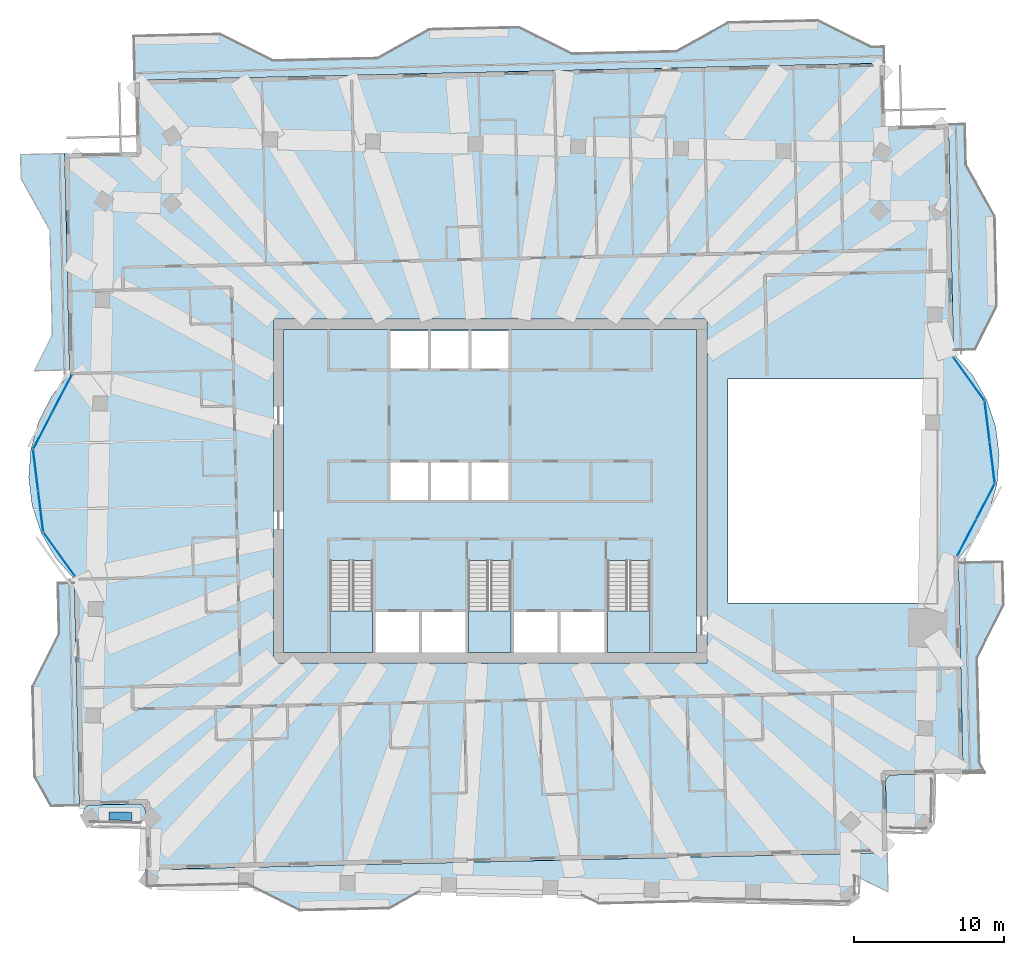
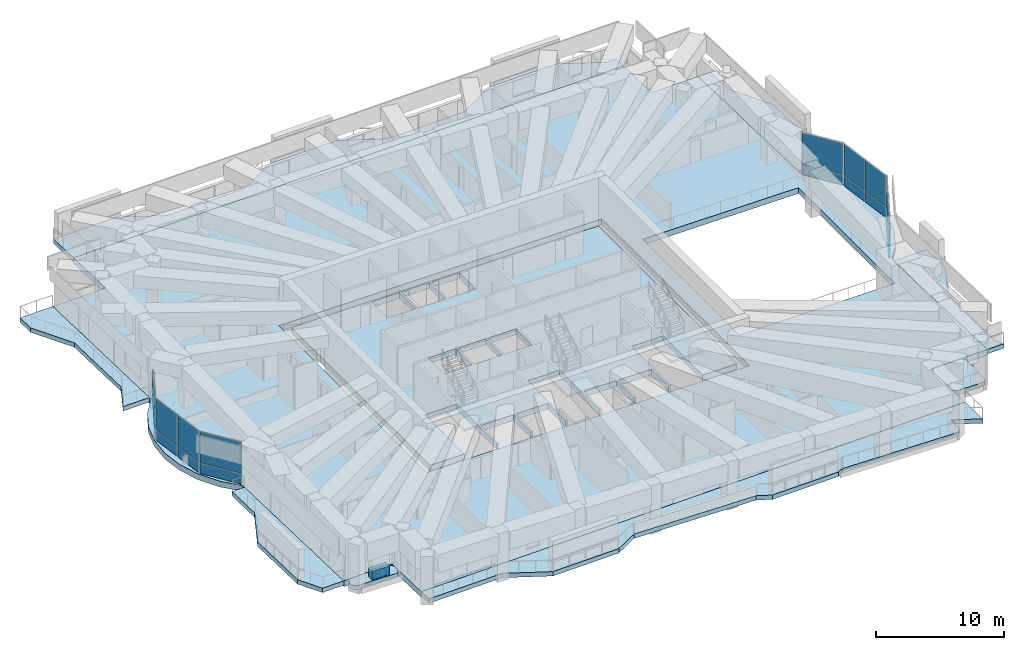
# One storey, part 10 of 21: 20 plates, 13 slabs, 1 wall, 9 elements without a shape of their own.
"""IFC4 building model written with IfcOpenShell, lengths in metres."""

from ifc_helpers import new_model, si_unit, direction, frame, frame_2d, origin, origin_2d, place, context, subcontext, project, spatial, polyline, rectangle, outline, extrude, material, layer, layer_set, type_object, element, aggregate, save


model = new_model("IFC4")

# Units and contexts
model_context = context("Model", 3, precision=1e-05, world=origin(), true_north=direction((0.0, 1.0)))
body_context = subcontext(model_context, "Body", "Model", "MODEL_VIEW")
ifc_project = project(units=[si_unit("LENGTHUNIT", "METRE"), si_unit("AREAUNIT", "SQUARE_METRE"), si_unit("VOLUMEUNIT", "CUBIC_METRE"), si_unit("PLANEANGLEUNIT", "RADIAN"), si_unit("MASSUNIT", "GRAM", prefix="KILO")], contexts=[model_context])

# Site, building, storey
site_placement = place(None, origin())
site = spatial("IfcSite", under=ifc_project, at=site_placement, CompositionType="ELEMENT")
building_placement = place(site_placement, origin())
building = spatial("IfcBuilding", under=site, at=building_placement, Name="Mangrove Gate Tower", CompositionType="ELEMENT")
storey_placement = place(building_placement, frame((0.0, 0.0, 275.300048828125)))
storey = spatial("IfcBuildingStorey", under=building, at=storey_placement, Name="L70", CompositionType="ELEMENT", Elevation=275.300048828125)

# Slabs
ifc_material_1 = material(Name="Porcelain tile")
ifc_layer_1 = layer(ifc_material_1, 0.02001953125, Name="Tile finish")
ifc_material_2 = material(Name="Cement sand screed")
ifc_layer_2 = layer(ifc_material_2, 0.0400390625, Name="Screed laid to falls")
ifc_material_3 = material(Name="Bituminous waterproofing membrane")
ifc_layer_3 = layer(ifc_material_3, 0.00390625, Name="Waterproofing")
ifc_material_4 = material(Name="Concrete C40/50", Category="concrete")
ifc_layer_4 = layer(ifc_material_4, 0.340087890625, Name="Balcony structural slab")
ifc_material_5 = material(Name="Limestone", Category="masonry")
ifc_layer_5 = layer(ifc_material_5, 0.01611328125, Name="Soffit lining")
ifc_layer_set_1 = layer_set([ifc_layer_1, ifc_layer_2, ifc_layer_3, ifc_layer_4, ifc_layer_5], Name="Balcony slab 420 C40/50")
slab_type_1 = type_object("IfcSlabType", Name="Balcony slab 420 C40/50", PredefinedType="FLOOR", material=ifc_layer_set_1)
slab_1_placement = place(storey_placement, frame((0.0, 0.0, -0.420166015625)))
element("IfcSlab", 1, at=slab_1_placement, inside=storey, type_object=slab_type_1, Name="BALCONY L70 E0", PredefinedType="FLOOR", context=body_context, shape_type="SweptSolid", body=[
    extrude(outline(polyline([(33.15087890625, -18.839111328125), (32.764892578125, -18.14794921875), (32.60595703125, -11.14990234375), (34.3759765625, -7.60888671875), (34.31103515625, -4.735107421875), (31.322021484375, -4.802978515625), (31.386962890625, -7.677001953125), (31.467041015625, -11.176025390625), (31.625, -18.174072265625), (31.64111328125, -18.8740234375), (33.15087890625, -18.839111328125)])), origin(), (0.0, 0.0, 1.0), 0.420166015625),
])
slab_2_placement = place(storey_placement, frame((0.0, 0.0, -0.420166015625)))
element("IfcSlab", 2, at=slab_2_placement, inside=storey, type_object=slab_type_1, Name="BALCONY L70 E1", PredefinedType="FLOOR", context=body_context, shape_type="SweptSolid", body=[
    extrude(outline(polyline([(32.468994140625, 9.47802734375), (33.923095703125, 12.385986328125), (33.787109375, 18.385009765625), (31.85791015625, 21.842041015625), (31.7958984375, 24.541015625), (30.656982421875, 24.514892578125), (30.718017578125, 21.81591796875), (30.797119140625, 18.31689453125), (30.93408203125, 12.318115234375), (30.9990234375, 9.444091796875), (32.468994140625, 9.47802734375)])), origin(), (0.0, 0.0, 1.0), 0.420166015625),
])
slab_3_placement = place(storey_placement, frame((0.0, 0.0, -0.420166015625)))
element("IfcSlab", 3, at=slab_3_placement, inside=storey, type_object=slab_type_1, Name="BALCONY L70 N0", PredefinedType="FLOOR", context=body_context, shape_type="SweptSolid", body=[
    extrude(outline(polyline([(26.3369140625, 29.758056640625), (25.468994140625, 29.739013671875), (21.927978515625, 31.509033203125), (15.928955078125, 31.373046875), (12.471923828125, 29.444091796875), (5.47412109375, 29.284912109375), (1.93310546875, 31.054931640625), (-4.06494140625, 30.9189453125), (-7.52294921875, 28.989990234375), (-14.52099609375, 28.83203125), (-18.06201171875, 30.60107421875), (-23.827880859375, 30.470947265625), (-23.760986328125, 27.48095703125), (26.363037109375, 28.618896484375), (26.3369140625, 29.758056640625)])), origin(), (0.0, 0.0, 1.0), 0.420166015625),
])
slab_4_placement = place(storey_placement, frame((0.0, 0.0, -0.420166015625)))
element("IfcSlab", 4, at=slab_4_placement, inside=storey, type_object=slab_type_1, Name="BALCONY L70 W0", PredefinedType="FLOOR", context=body_context, shape_type="SweptSolid", body=[
    extrude(outline(polyline([(-31.43994140625, 22.506103515625), (-31.403076171875, 20.906005859375), (-29.47412109375, 17.448974609375), (-29.31591796875, 10.450927734375), (-30.51708984375, 8.048095703125), (-28.1220703125, 8.10302734375), (-28.176025390625, 10.47705078125), (-28.3349609375, 17.47509765625), (-28.4140625, 20.97412109375), (-28.449951171875, 22.573974609375), (-31.43994140625, 22.506103515625)])), origin(), (0.0, 0.0, 1.0), 0.420166015625),
])
slab_5_placement = place(storey_placement, frame((0.0, 0.0, -0.420166015625)))
element("IfcSlab", 5, at=slab_5_placement, inside=storey, type_object=slab_type_1, Name="BALCONY L70 W1", PredefinedType="FLOOR", context=body_context, shape_type="SweptSolid", body=[
    extrude(outline(polyline([(-28.93798828125, -6.169921875), (-28.862060546875, -9.5439453125), (-30.632080078125, -13.0849609375), (-30.49609375, -19.083984375), (-29.39404296875, -21.05908203125), (-27.4609375, -21.014892578125), (-27.507080078125, -19.01611328125), (-27.64306640625, -13.01708984375), (-27.721923828125, -9.51806640625), (-27.799072265625, -6.14404296875), (-28.93798828125, -6.169921875)])), origin(), (0.0, 0.0, 1.0), 0.420166015625),
])
slab_6_placement = place(storey_placement, frame((0.0, 0.0, -0.420166015625)))
element("IfcSlab", 6, at=slab_6_placement, inside=storey, type_object=slab_type_1, Name="BALCONY L70 S0", PredefinedType="FLOOR", context=body_context, shape_type="SweptSolid", body=[
    extrude(outline(polyline([(-22.93701171875, -26.4541015625), (-16.27197265625, -26.302978515625), (-12.72900390625, -28.072998046875), (-6.73095703125, -27.93701171875), (-4.693115234375, -26.800048828125), (-4.68798828125, -26.798095703125), (-4.681884765625, -26.799072265625), (-4.677978515625, -26.803955078125), (-4.676025390625, -26.80908203125), (-4.677001953125, -26.81396484375), (6.09912109375, -27.05908203125), (6.097900390625, -27.052978515625), (6.10009765625, -27.048095703125), (6.10498046875, -27.0439453125), (6.110107421875, -27.04296875), (7.264892578125, -27.618896484375), (13.263916015625, -27.48291015625), (13.737060546875, -27.218994140625), (13.743896484375, -27.217041015625), (13.748046875, -27.218017578125), (13.7529296875, -27.220947265625), (13.7548828125, -27.22509765625), (13.7548828125, -27.23193359375), (23.85595703125, -27.4619140625), (23.905029296875, -27.4599609375), (23.9541015625, -27.4541015625), (24.0009765625, -27.443115234375), (24.049072265625, -27.427978515625), (24.093017578125, -27.407958984375), (24.135986328125, -27.384033203125), (24.176025390625, -27.35498046875), (24.212890625, -27.322998046875), (24.24609375, -27.2880859375), (24.277099609375, -27.2490234375), (24.302978515625, -27.2080078125), (24.324951171875, -27.1640625), (24.343017578125, -27.116943359375), (24.35595703125, -27.070068359375), (24.364013671875, -27.02197265625), (24.366943359375, -26.972900390625), (24.39404296875, -25.7529296875), (24.39697265625, -25.743896484375), (24.406005859375, -25.739990234375), (24.410888671875, -25.741943359375), (26.62109375, -26.845947265625), (26.56103515625, -24.18994140625), (-22.962890625, -25.31396484375), (-22.93701171875, -26.4541015625)])), origin(), (0.0, 0.0, 1.0), 0.420166015625),
])
ifc_material_6 = material(Name="Concrete C40/50", Category="concrete")
ifc_layer_6 = layer(ifc_material_6, 0.550048828125)
ifc_layer_set_2 = layer_set([ifc_layer_6], Name="Core floor slab 550 C40/50")
slab_type_2 = type_object("IfcSlabType", Name="Core floor slab 550 C40/50", PredefinedType="FLOOR", material=ifc_layer_set_2)
slab_7_placement = place(storey_placement, frame((0.0, 0.0, -0.550048828125)))
element("IfcSlab", 7, at=slab_7_placement, inside=storey, type_object=slab_type_2, Name="SLAB-L70-CORE-1", PredefinedType="FLOOR", context=body_context, shape_type="SweptSolid", body=[
    extrude(outline(polyline([(-13.800048828125, -10.800048828125), (-13.800048828125, 10.800048828125), (13.800048828125, 10.800048828125), (13.800048828125, -10.800048828125), (10.699951171875, -10.800048828125), (10.699951171875, -4.653076171875), (7.85009765625, -4.653076171875), (7.85009765625, -10.800048828125), (7.64990234375, -10.800048828125), (7.64990234375, -8.10009765625), (4.72509765625, -8.10009765625), (4.72509765625, -10.800048828125), (4.52490234375, -10.800048828125), (4.52490234375, -8.10009765625), (1.60009765625, -8.10009765625), (1.60009765625, -10.800048828125), (1.39990234375, -10.800048828125), (1.39990234375, -4.653076171875), (-1.449951171875, -4.653076171875), (-1.449951171875, -10.800048828125), (-1.64990234375, -10.800048828125), (-1.64990234375, -8.10009765625), (-4.550048828125, -8.10009765625), (-4.550048828125, -10.800048828125), (-4.75, -10.800048828125), (-4.75, -8.10009765625), (-7.64990234375, -8.10009765625), (-7.64990234375, -10.800048828125), (-7.85009765625, -10.800048828125), (-7.85009765625, -4.653076171875), (-10.699951171875, -4.653076171875), (-10.699951171875, -10.800048828125), (-13.800048828125, -10.800048828125)]), holes=[polyline([(-4.14990234375, 1.89990234375), (-6.64990234375, 1.89990234375), (-6.64990234375, -0.60009765625), (-4.14990234375, -0.60009765625), (-4.14990234375, 1.89990234375)]), polyline([(-1.449951171875, -0.60009765625), (-1.449951171875, 1.89990234375), (-3.949951171875, 1.89990234375), (-3.949951171875, -0.60009765625), (-1.449951171875, -0.60009765625)]), polyline([(-4.14990234375, 8.199951171875), (-4.14990234375, 10.699951171875), (-6.64990234375, 10.699951171875), (-6.64990234375, 8.199951171875), (-4.14990234375, 8.199951171875)]), polyline([(-1.449951171875, 10.699951171875), (-3.949951171875, 10.699951171875), (-3.949951171875, 8.199951171875), (-1.449951171875, 8.199951171875), (-1.449951171875, 10.699951171875)]), polyline([(1.25, -0.60009765625), (1.25, 1.89990234375), (-1.25, 1.89990234375), (-1.25, -0.60009765625), (1.25, -0.60009765625)]), polyline([(1.25, 8.199951171875), (1.25, 10.699951171875), (-1.25, 10.699951171875), (-1.25, 8.199951171875), (1.25, 8.199951171875)])]), origin(), (0.0, 0.0, 1.0), 0.550048828125),
])

# Stair, slab
ifc_material_7 = material(Name="Concrete C40/50", Category="concrete")
stair_type = type_object("IfcStairType", Name="Core stair 1350", PredefinedType="HALF_TURN_STAIR", material=ifc_material_7)
stair_1_placement = place(storey_placement, origin())
stair_1 = element("IfcStair", 8, at=stair_1_placement, inside=storey, type_object=stair_type, Name="L70 Stair 1", PredefinedType="HALF_TURN_STAIR")
ifc_material_8 = material(Name="Concrete C40/50", Category="concrete")
ifc_layer_7 = layer(ifc_material_8, 0.199951171875)
ifc_layer_set_3 = layer_set([ifc_layer_7], Name="Core stair landing 200")
slab_type_3 = type_object("IfcSlabType", Name="Core stair landing 200", PredefinedType="LANDING", material=ifc_layer_set_3)
slab_8_placement = place(storey_placement, frame((0.0, 0.0, 2.099853515625)))
slab_8 = element("IfcSlab", 9, at=slab_8_placement, type_object=slab_type_3, Name="ST1 landing 1", PredefinedType="LANDING", context=body_context, shape_type="SweptSolid", body=[
    extrude(outline(polyline([(-10.699951171875, -8.010009765625), (-10.699951171875, -10.800048828125), (-7.85009765625, -10.800048828125), (-7.85009765625, -8.010009765625), (-10.699951171875, -8.010009765625)])), origin(), (0.0, 0.0, 1.0), 0.2001953125),
])
aggregate(stair_1, [slab_8])

stair_2_placement = place(storey_placement, origin())
stair_2 = element("IfcStair", 10, at=stair_2_placement, inside=storey, type_object=stair_type, Name="L70 Stair 2", PredefinedType="HALF_TURN_STAIR")
slab_9_placement = place(storey_placement, frame((0.0, 0.0, 2.099853515625)))
slab_9 = element("IfcSlab", 11, at=slab_9_placement, type_object=slab_type_3, Name="ST2 landing 1", PredefinedType="LANDING", context=body_context, shape_type="SweptSolid", body=[
    extrude(outline(polyline([(-1.449951171875, -8.010009765625), (-1.449951171875, -10.800048828125), (1.39990234375, -10.800048828125), (1.39990234375, -8.010009765625), (-1.449951171875, -8.010009765625)])), origin(), (0.0, 0.0, 1.0), 0.2001953125),
])
aggregate(stair_2, [slab_9])

stair_3_placement = place(storey_placement, origin())
stair_3 = element("IfcStair", 12, at=stair_3_placement, inside=storey, type_object=stair_type, Name="L70 Stair 3", PredefinedType="HALF_TURN_STAIR")
slab_10_placement = place(storey_placement, frame((0.0, 0.0, 2.099853515625)))
slab_10 = element("IfcSlab", 13, at=slab_10_placement, type_object=slab_type_3, Name="ST3 landing 1", PredefinedType="LANDING", context=body_context, shape_type="SweptSolid", body=[
    extrude(outline(polyline([(7.85009765625, -8.010009765625), (7.85009765625, -10.800048828125), (10.699951171875, -10.800048828125), (10.699951171875, -8.010009765625), (7.85009765625, -8.010009765625)])), origin(), (0.0, 0.0, 1.0), 0.2001953125),
])
aggregate(stair_3, [slab_10])

# Slab
ifc_material_9 = material(Name="Concrete C40/50", Category="concrete")
ifc_layer_8 = layer(ifc_material_9, 0.550048828125)
ifc_layer_set_4 = layer_set([ifc_layer_8], Name="Floor slab 550 C40/50")
slab_type_4 = type_object("IfcSlabType", Name="Floor slab 550 C40/50", PredefinedType="FLOOR", material=ifc_layer_set_4)
slab_11_placement = place(storey_placement, frame((0.0, 0.0, -0.550048828125)))
element("IfcSlab", 14, at=slab_11_placement, inside=storey, type_object=slab_type_4, Name="Floor slab L70", PredefinedType="FLOOR", context=body_context, shape_type="SweptSolid", body=[
    extrude(outline(polyline([(-22.962646484375, -25.314208984375), (26.560791015625, -24.1904296875), (26.442626953125, -18.99169921875), (31.641357421875, -18.873779296875), (31.31640625, -4.552734375), (32.512939453125, -3.060302734375), (33.389892578125, -1.360595703125), (33.912353515625, 0.4794921875), (34.0595703125, 2.38671875), (33.825927734375, 4.28515625), (33.220458984375, 6.099365234375), (32.267333984375, 7.7578125), (31.00439453125, 9.1943359375), (30.65673828125, 24.51513671875), (26.457763671875, 24.419921875), (26.362548828125, 28.61865234375), (-23.760498046875, 27.481201171875), (-23.651611328125, 22.6826171875), (-28.450439453125, 22.57373046875), (-28.116455078125, 7.852783203125), (-29.31298828125, 6.3603515625), (-30.18994140625, 4.660400390625), (-30.71240234375, 2.820556640625), (-30.859619140625, 0.913330078125), (-30.6259765625, -0.985107421875), (-30.0205078125, -2.799560546875), (-29.0673828125, -4.457763671875), (-27.804443359375, -5.894287109375), (-27.461181640625, -21.01513671875), (-23.0625, -20.915283203125), (-22.962646484375, -25.314208984375)]), holes=[polyline([(15.89990234375, 7.5), (29.889892578125, 7.5), (29.889892578125, -7.5), (15.89990234375, -7.5), (15.89990234375, 7.5)]), polyline([(-14.5, -11.5), (-14.5, 11.5), (14.5, 11.5), (14.5, -11.5), (-14.5, -11.5)])]), origin(), (0.0, 0.0, 1.0), 0.550048828125),
])

# Curtain wall, plates
ifc_material_10 = material(Name="Aluminium and glass curtain wall", Category="aluminium")
curtain_wall_type = type_object("IfcCurtainWallType", Name="Sky-lounge glazing wall", PredefinedType="NOTDEFINED", material=ifc_material_10)
curtain_wall_1_placement = place(storey_placement, origin())
curtain_wall_1 = element("IfcCurtainWall", 15, at=curtain_wall_1_placement, inside=storey, type_object=curtain_wall_type, Name="Sky-lounge glazing E1f1", PredefinedType="NOTDEFINED")
ifc_material_11 = material(Name="Laminated low-e glass", Category="glass")
ifc_layer_9 = layer(ifc_material_11, 0.030029296875)
ifc_layer_set_5 = layer_set([ifc_layer_9], Name="Sky-lounge glazing panel 30")
plate_type = type_object("IfcPlateType", Name="Sky-lounge glazing panel 30", PredefinedType="CURTAIN_PANEL", material=ifc_layer_set_5)
plate_1_placement = place(storey_placement, frame((31.883056640625, -3.117431640625, 0.0), z_axis=(0.0, 0.0, 1.0), x_axis=(0.460707139795, 0.887552213305, 0.0)))
plate_1 = element("IfcPlate", 16, at=plate_1_placement, type_object=plate_type, Name="CWK panel 1.1", PredefinedType="CURTAIN_PANEL", context=body_context, shape_type="SweptSolid", body=[
    extrude(rectangle(XDim=2.6416015625, YDim=0.030029296875, at=origin_2d()), origin(), (0.0, 0.0, 1.0), 0.969970703125),
])
plate_2_placement = place(storey_placement, frame((31.883056640625, -3.117431640625, 1.030029296875), z_axis=(0.0, 0.0, 1.0), x_axis=(0.460707139795, 0.887552213305, 0.0)))
plate_2 = element("IfcPlate", 17, at=plate_2_placement, type_object=plate_type, Name="CWK panel 1.2", PredefinedType="CURTAIN_PANEL", context=body_context, shape_type="SweptSolid", body=[
    extrude(rectangle(XDim=2.6416015625, YDim=0.030029296875, at=origin_2d()), origin(), (0.0, 0.0, 1.0), 2.9599609375),
])
plate_3_placement = place(storey_placement, frame((33.1279296875, -0.719482421875, 0.0), z_axis=(0.0, 0.0, 1.0), x_axis=(0.460707139795, 0.887552213305, 0.0)))
plate_3 = element("IfcPlate", 18, at=plate_3_placement, type_object=plate_type, Name="CWK panel 2.1", PredefinedType="CURTAIN_PANEL", context=body_context, shape_type="SweptSolid", body=[
    extrude(rectangle(XDim=2.6416015625, YDim=0.030029296875, at=origin_2d()), origin(), (0.0, 0.0, 1.0), 0.969970703125),
])
plate_4_placement = place(storey_placement, frame((33.1279296875, -0.719482421875, 1.030029296875), z_axis=(0.0, 0.0, 1.0), x_axis=(0.460707139795, 0.887552213305, 0.0)))
plate_4 = element("IfcPlate", 19, at=plate_4_placement, type_object=plate_type, Name="CWK panel 2.2", PredefinedType="CURTAIN_PANEL", context=body_context, shape_type="SweptSolid", body=[
    extrude(rectangle(XDim=2.6416015625, YDim=0.030029296875, at=origin_2d()), origin(), (0.0, 0.0, 1.0), 2.9599609375),
])
aggregate(curtain_wall_1, [plate_1, plate_2, plate_3, plate_4])

curtain_wall_2_placement = place(storey_placement, origin())
curtain_wall_2 = element("IfcCurtainWall", 20, at=curtain_wall_2_placement, inside=storey, type_object=curtain_wall_type, Name="Sky-lounge glazing E1f2", PredefinedType="NOTDEFINED")
plate_5_placement = place(storey_placement, frame((33.591796875, 1.90380859375, 0.0), z_axis=(0.0, 0.0, 1.0), x_axis=(-0.122172285885, 0.992508908051, 0.0)))
plate_5 = element("IfcPlate", 21, at=plate_5_placement, type_object=plate_type, Name="CWK panel 1.1", PredefinedType="CURTAIN_PANEL", context=body_context, shape_type="SweptSolid", body=[
    extrude(rectangle(XDim=2.69677734375, YDim=0.030029296875, at=origin_2d()), origin(), (0.0, 0.0, 1.0), 0.969970703125),
])
plate_6_placement = place(storey_placement, frame((33.591796875, 1.90380859375, 1.030029296875), z_axis=(0.0, 0.0, 1.0), x_axis=(-0.122172285885, 0.992508908051, 0.0)))
plate_6 = element("IfcPlate", 22, at=plate_6_placement, type_object=plate_type, Name="CWK panel 1.2", PredefinedType="CURTAIN_PANEL", context=body_context, shape_type="SweptSolid", body=[
    extrude(rectangle(XDim=2.69677734375, YDim=0.030029296875, at=origin_2d()), origin(), (0.0, 0.0, 1.0), 2.9599609375),
])
plate_7_placement = place(storey_placement, frame((33.255126953125, 4.639892578125, 0.0), z_axis=(0.0, 0.0, 1.0), x_axis=(-0.122172285885, 0.992508908051, 0.0)))
plate_7 = element("IfcPlate", 23, at=plate_7_placement, type_object=plate_type, Name="CWK panel 2.1", PredefinedType="CURTAIN_PANEL", context=body_context, shape_type="SweptSolid", body=[
    extrude(rectangle(XDim=2.69677734375, YDim=0.030029296875, at=origin_2d()), origin(), (0.0, 0.0, 1.0), 0.969970703125),
])
plate_8_placement = place(storey_placement, frame((33.255126953125, 4.639892578125, 1.030029296875), z_axis=(0.0, 0.0, 1.0), x_axis=(-0.122172285885, 0.992508908051, 0.0)))
plate_8 = element("IfcPlate", 24, at=plate_8_placement, type_object=plate_type, Name="CWK panel 2.2", PredefinedType="CURTAIN_PANEL", context=body_context, shape_type="SweptSolid", body=[
    extrude(rectangle(XDim=2.69677734375, YDim=0.030029296875, at=origin_2d()), origin(), (0.0, 0.0, 1.0), 2.9599609375),
])
aggregate(curtain_wall_2, [plate_5, plate_6, plate_7, plate_8])

curtain_wall_3_placement = place(storey_placement, origin())
curtain_wall_3 = element("IfcCurtainWall", 25, at=curtain_wall_3_placement, inside=storey, type_object=curtain_wall_type, Name="Sky-lounge glazing E1f3", PredefinedType="NOTDEFINED")
plate_9_placement = place(storey_placement, frame((32.031494140625, 7.50048828125, 0.0), z_axis=(0.0, 0.0, 1.0), x_axis=(-0.583756154765, 0.811929031242, 0.0)))
plate_9 = element("IfcPlate", 26, at=plate_9_placement, type_object=plate_type, Name="CWK panel 1.1", PredefinedType="CURTAIN_PANEL", context=body_context, shape_type="SweptSolid", body=[
    extrude(rectangle(XDim=3.482421875, YDim=0.030029296875, at=origin_2d()), origin(), (0.0, 0.0, 1.0), 0.969970703125),
])
plate_10_placement = place(storey_placement, frame((32.031494140625, 7.50048828125, 1.030029296875), z_axis=(0.0, 0.0, 1.0), x_axis=(-0.583756154765, 0.811929031242, 0.0)))
plate_10 = element("IfcPlate", 27, at=plate_10_placement, type_object=plate_type, Name="CWK panel 1.2", PredefinedType="CURTAIN_PANEL", context=body_context, shape_type="SweptSolid", body=[
    extrude(rectangle(XDim=3.482421875, YDim=0.030029296875, at=origin_2d()), origin(), (0.0, 0.0, 1.0), 2.9599609375),
])
aggregate(curtain_wall_3, [plate_9, plate_10])

curtain_wall_4_placement = place(storey_placement, origin())
curtain_wall_4 = element("IfcCurtainWall", 28, at=curtain_wall_4_placement, inside=storey, type_object=curtain_wall_type, Name="Sky-lounge glazing W9f1", PredefinedType="NOTDEFINED")
plate_11_placement = place(storey_placement, frame((-28.621826171875, 6.536376953125, 0.0), z_axis=(0.0, 0.0, 1.0), x_axis=(-0.460628472466, -0.887593043209, 0.0)))
plate_11 = element("IfcPlate", 29, at=plate_11_placement, type_object=plate_type, Name="CWK panel 1.1", PredefinedType="CURTAIN_PANEL", context=body_context, shape_type="SweptSolid", body=[
    extrude(rectangle(XDim=2.73095703125, YDim=0.030029296875, at=origin_2d()), origin(), (0.0, 0.0, 1.0), 0.969970703125),
])
plate_12_placement = place(storey_placement, frame((-28.621826171875, 6.536376953125, 1.02978515625), z_axis=(0.0, 0.0, 1.0), x_axis=(-0.460628472466, -0.887593043209, 0.0)))
plate_12 = element("IfcPlate", 30, at=plate_12_placement, type_object=plate_type, Name="CWK panel 1.2", PredefinedType="CURTAIN_PANEL", context=body_context, shape_type="SweptSolid", body=[
    extrude(rectangle(XDim=2.73095703125, YDim=0.030029296875, at=origin_2d()), origin(), (0.0, 0.0, 1.0), 1.760009765625),
])
plate_13_placement = place(storey_placement, frame((-29.9072265625, 4.05908203125, 0.0), z_axis=(0.0, 0.0, 1.0), x_axis=(-0.460628472466, -0.887593043209, 0.0)))
plate_13 = element("IfcPlate", 31, at=plate_13_placement, type_object=plate_type, Name="CWK panel 2.1", PredefinedType="CURTAIN_PANEL", context=body_context, shape_type="SweptSolid", body=[
    extrude(rectangle(XDim=2.73095703125, YDim=0.030029296875, at=origin_2d()), origin(), (0.0, 0.0, 1.0), 0.969970703125),
])
plate_14_placement = place(storey_placement, frame((-29.9072265625, 4.05908203125, 1.02978515625), z_axis=(0.0, 0.0, 1.0), x_axis=(-0.460628472466, -0.887593043209, 0.0)))
plate_14 = element("IfcPlate", 32, at=plate_14_placement, type_object=plate_type, Name="CWK panel 2.2", PredefinedType="CURTAIN_PANEL", context=body_context, shape_type="SweptSolid", body=[
    extrude(rectangle(XDim=2.73095703125, YDim=0.030029296875, at=origin_2d()), origin(), (0.0, 0.0, 1.0), 1.760009765625),
])
aggregate(curtain_wall_4, [plate_11, plate_12, plate_13, plate_14])

curtain_wall_5_placement = place(storey_placement, origin())
curtain_wall_5 = element("IfcCurtainWall", 33, at=curtain_wall_5_placement, inside=storey, type_object=curtain_wall_type, Name="Sky-lounge glazing W9f2", PredefinedType="NOTDEFINED")
plate_15_placement = place(storey_placement, frame((-30.391845703125, 1.396240234375, 0.0), z_axis=(0.0, 0.0, 1.0), x_axis=(0.122172285885, -0.992508908051, 0.0)))
plate_15 = element("IfcPlate", 34, at=plate_15_placement, type_object=plate_type, Name="CWK panel 1.1", PredefinedType="CURTAIN_PANEL", context=body_context, shape_type="SweptSolid", body=[
    extrude(rectangle(XDim=2.69677734375, YDim=0.030029296875, at=origin_2d()), origin(), (0.0, 0.0, 1.0), 0.969970703125),
])
plate_16_placement = place(storey_placement, frame((-30.391845703125, 1.396240234375, 1.030029296875), z_axis=(0.0, 0.0, 1.0), x_axis=(0.122172285885, -0.992508908051, 0.0)))
plate_16 = element("IfcPlate", 35, at=plate_16_placement, type_object=plate_type, Name="CWK panel 1.2", PredefinedType="CURTAIN_PANEL", context=body_context, shape_type="SweptSolid", body=[
    extrude(rectangle(XDim=2.69677734375, YDim=0.030029296875, at=origin_2d()), origin(), (0.0, 0.0, 1.0), 2.9599609375),
])
plate_17_placement = place(storey_placement, frame((-30.05517578125, -1.33984375, 0.0), z_axis=(0.0, 0.0, 1.0), x_axis=(0.122172285885, -0.992508908051, 0.0)))
plate_17 = element("IfcPlate", 36, at=plate_17_placement, type_object=plate_type, Name="CWK panel 2.1", PredefinedType="CURTAIN_PANEL", context=body_context, shape_type="SweptSolid", body=[
    extrude(rectangle(XDim=2.69677734375, YDim=0.030029296875, at=origin_2d()), origin(), (0.0, 0.0, 1.0), 0.969970703125),
])
plate_18_placement = place(storey_placement, frame((-30.05517578125, -1.33984375, 1.030029296875), z_axis=(0.0, 0.0, 1.0), x_axis=(0.122172285885, -0.992508908051, 0.0)))
plate_18 = element("IfcPlate", 37, at=plate_18_placement, type_object=plate_type, Name="CWK panel 2.2", PredefinedType="CURTAIN_PANEL", context=body_context, shape_type="SweptSolid", body=[
    extrude(rectangle(XDim=2.69677734375, YDim=0.030029296875, at=origin_2d()), origin(), (0.0, 0.0, 1.0), 2.9599609375),
])
aggregate(curtain_wall_5, [plate_15, plate_16, plate_17, plate_18])

curtain_wall_6_placement = place(storey_placement, origin())
curtain_wall_6 = element("IfcCurtainWall", 38, at=curtain_wall_6_placement, inside=storey, type_object=curtain_wall_type, Name="Sky-lounge glazing W9f3", PredefinedType="NOTDEFINED")
plate_19_placement = place(storey_placement, frame((-28.81640625, -4.221435546875, 0.0), z_axis=(0.0, 0.0, 1.0), x_axis=(0.583720628164, -0.811954572779, 0.0)))
plate_19 = element("IfcPlate", 39, at=plate_19_placement, type_object=plate_type, Name="CWK panel 1.1", PredefinedType="CURTAIN_PANEL", context=body_context, shape_type="SweptSolid", body=[
    extrude(rectangle(XDim=3.5341796875, YDim=0.030029296875, at=origin_2d()), origin(), (0.0, 0.0, 1.0), 0.969970703125),
])
plate_20_placement = place(storey_placement, frame((-28.81640625, -4.221435546875, 1.030029296875), z_axis=(0.0, 0.0, 1.0), x_axis=(0.583720628164, -0.811954572779, 0.0)))
plate_20 = element("IfcPlate", 40, at=plate_20_placement, type_object=plate_type, Name="CWK panel 1.2", PredefinedType="CURTAIN_PANEL", context=body_context, shape_type="SweptSolid", body=[
    extrude(rectangle(XDim=3.5341796875, YDim=0.030029296875, at=origin_2d()), origin(), (0.0, 0.0, 1.0), 2.9599609375),
])
aggregate(curtain_wall_6, [plate_19, plate_20])

# Slabs
ifc_material_12 = material(Name="Granite", Category="masonry")
ifc_layer_10 = layer(ifc_material_12, 0.030029296875, Name="Granite paving")
ifc_layer_11 = layer(ifc_material_2, 0.0400390625, Name="Bedding screed")
ifc_layer_12 = layer(ifc_material_3, 0.0048828125, Name="Waterproofing")
ifc_material_13 = material(Name="Extruded polystyrene insulation")
ifc_layer_13 = layer(ifc_material_13, 0.0400390625, Name="Insulation")
ifc_layer_14 = layer(ifc_material_4, 0.304931640625, Name="Terrace structural slab")
ifc_layer_set_6 = layer_set([ifc_layer_10, ifc_layer_11, ifc_layer_12, ifc_layer_13, ifc_layer_14], Name="Terrace slab C40/50")
slab_type_5 = type_object("IfcSlabType", Name="Terrace slab C40/50", PredefinedType="FLOOR", material=ifc_layer_set_6)
slab_12_placement = place(storey_placement, frame((0.0, 0.0, -0.420166015625)))
element("IfcSlab", 41, at=slab_12_placement, inside=storey, type_object=slab_type_5, Name="TERRACE L70 1", PredefinedType="FLOOR", context=body_context, shape_type="SweptSolid", body=[
    extrude(outline(polyline([(29.47900390625, -22.087890625), (29.5390625, -19.444091796875), (29.5380859375, -19.39404296875), (29.531982421875, -19.343994140625), (29.52001953125, -19.294921875), (29.50390625, -19.2470703125), (29.48291015625, -19.200927734375), (29.45703125, -19.156982421875), (29.427001953125, -19.116943359375), (29.39306640625, -19.0791015625), (29.35595703125, -19.044921875), (29.31494140625, -19.01611328125), (29.27197265625, -18.989990234375), (29.22607421875, -18.968994140625), (29.177978515625, -18.951904296875), (29.12890625, -18.94091796875), (29.0791015625, -18.93408203125), (29.028076171875, -18.93310546875), (26.943115234375, -18.97998046875), (26.89404296875, -18.98388671875), (26.844970703125, -18.991943359375), (26.798095703125, -19.0048828125), (26.751953125, -19.02294921875), (26.7080078125, -19.044921875), (26.6669921875, -19.071044921875), (26.6279296875, -19.10107421875), (26.592041015625, -19.135009765625), (26.56005859375, -19.172119140625), (26.531982421875, -19.2119140625), (26.508056640625, -19.2548828125), (26.488037109375, -19.299072265625), (26.471923828125, -19.345947265625), (26.4609375, -19.39404296875), (26.455078125, -19.443115234375), (26.4541015625, -19.491943359375), (26.511962890625, -22.04296875), (26.514892578125, -22.091064453125), (26.52294921875, -22.137939453125), (26.534912109375, -22.18408203125), (26.552001953125, -22.22802734375), (26.572998046875, -22.27099609375), (26.597900390625, -22.31201171875), (26.6259765625, -22.35009765625), (26.657958984375, -22.385009765625), (26.694091796875, -22.4169921875), (26.73193359375, -22.446044921875), (26.77197265625, -22.470947265625), (26.81494140625, -22.491943359375), (26.860107421875, -22.508056640625), (26.906005859375, -22.52001953125), (26.952880859375, -22.528076171875), (27.0, -22.531982421875), (28.968017578125, -22.575927734375), (29.01708984375, -22.574951171875), (29.06591796875, -22.569091796875), (29.114013671875, -22.55810546875), (29.159912109375, -22.54296875), (29.205078125, -22.52294921875), (29.248046875, -22.498046875), (29.2880859375, -22.469970703125), (29.324951171875, -22.43798828125), (29.35888671875, -22.402099609375), (29.388916015625, -22.364013671875), (29.4150390625, -22.322021484375), (29.43701171875, -22.278076171875), (29.455078125, -22.23193359375), (29.468017578125, -22.18505859375), (29.47607421875, -22.136962890625), (29.47900390625, -22.087890625)])), origin(), (0.0, 0.0, 1.0), 0.420166015625),
])
slab_13_placement = place(storey_placement, frame((0.0, 0.0, -0.420166015625)))
element("IfcSlab", 42, at=slab_13_placement, inside=storey, type_object=slab_type_5, Name="TERRACE L70 4", PredefinedType="FLOOR", context=body_context, shape_type="SweptSolid", body=[
    extrude(outline(polyline([(-26.7080078125, -22.113037109375), (-23.555908203125, -22.18505859375), (-23.506103515625, -22.18310546875), (-23.4560546875, -22.177001953125), (-23.406982421875, -22.1650390625), (-23.35888671875, -22.14892578125), (-23.31298828125, -22.1279296875), (-23.27001953125, -22.10205078125), (-23.22900390625, -22.072021484375), (-23.19189453125, -22.0380859375), (-23.157958984375, -22.0009765625), (-23.1279296875, -21.9599609375), (-23.10205078125, -21.9169921875), (-23.0810546875, -21.87109375), (-23.06494140625, -21.822998046875), (-23.052978515625, -21.77392578125), (-23.047119140625, -21.72412109375), (-23.044921875, -21.673095703125), (-23.051025390625, -21.4150390625), (-23.054931640625, -21.365966796875), (-23.06298828125, -21.318115234375), (-23.075927734375, -21.27099609375), (-23.093017578125, -21.22509765625), (-23.114990234375, -21.180908203125), (-23.14208984375, -21.138916015625), (-23.172119140625, -21.10107421875), (-23.205078125, -21.06494140625), (-23.242919921875, -21.032958984375), (-23.282958984375, -21.0048828125), (-23.324951171875, -20.97998046875), (-23.3701171875, -20.9599609375), (-23.4169921875, -20.945068359375), (-23.465087890625, -20.93408203125), (-23.512939453125, -20.927978515625), (-23.56201171875, -20.927001953125), (-26.705078125, -20.998046875), (-26.751953125, -21.0009765625), (-26.799072265625, -21.009033203125), (-26.844970703125, -21.02099609375), (-26.889892578125, -21.0380859375), (-26.93310546875, -21.05908203125), (-26.97412109375, -21.083984375), (-27.011962890625, -21.112060546875), (-27.047119140625, -21.14404296875), (-27.0791015625, -21.179931640625), (-27.10791015625, -21.218017578125), (-27.133056640625, -21.258056640625), (-27.153076171875, -21.301025390625), (-27.169921875, -21.345947265625), (-27.181884765625, -21.39208984375), (-27.18994140625, -21.43896484375), (-27.193115234375, -21.487060546875), (-27.196044921875, -21.60205078125), (-27.195068359375, -21.65087890625), (-27.18896484375, -21.699951171875), (-27.177978515625, -21.7470703125), (-27.162109375, -21.7939453125), (-27.14208984375, -21.839111328125), (-27.117919921875, -21.881103515625), (-27.090087890625, -21.922119140625), (-27.05810546875, -21.958984375), (-27.02197265625, -21.991943359375), (-26.98291015625, -22.02197265625), (-26.94189453125, -22.049072265625), (-26.89794921875, -22.071044921875), (-26.85205078125, -22.087890625), (-26.804931640625, -22.10107421875), (-26.756103515625, -22.110107421875), (-26.7080078125, -22.113037109375)])), origin(), (0.0, 0.0, 1.0), 0.420166015625),
])

# Wall
ifc_material_14 = material(Name="Concrete C32/40", Category="concrete")
ifc_layer_15 = layer(ifc_material_14, 0.199951171875, Name="Planter trough wall")
ifc_layer_16 = layer(ifc_material_3, 0.0048828125, Name="Waterproofing")
ifc_material_15 = material(Name="Drainage board and gravel")
ifc_layer_17 = layer(ifc_material_15, 0.044921875, Name="Drainage layer")
ifc_material_16 = material(Name="Planting soil")
ifc_layer_18 = layer(ifc_material_16, 0.300048828125, Name="Growing medium")
ifc_layer_set_7 = layer_set([ifc_layer_15, ifc_layer_16, ifc_layer_17, ifc_layer_18], Name="Planter wall 550 C32/40")
wall_type = type_object("IfcWallType", Name="Planter wall 550 C32/40", PredefinedType="USERDEFINED", material=ifc_layer_set_7)
wall_placement = place(storey_placement, frame((-23.947021484375, -21.760986328125, 0.0), z_axis=(0.0, 0.0, 1.0), x_axis=(-0.999732408314, 0.023132482925, 0.0)))
element("IfcWall", 43, at=wall_placement, inside=storey, type_object=wall_type, Name="PLANTER L70 T4.1.6", ObjectType="PLANTER", PredefinedType="USERDEFINED", context=body_context, shape_type="SweptSolid", body=[
    extrude(rectangle(XDim=1.551513671875, YDim=0.550048828125, at=frame_2d((0.77587890625, 0.0))), origin(), (0.0, 0.0, 1.0), 0.800048828125),
])

save(model, "model.ifc")
